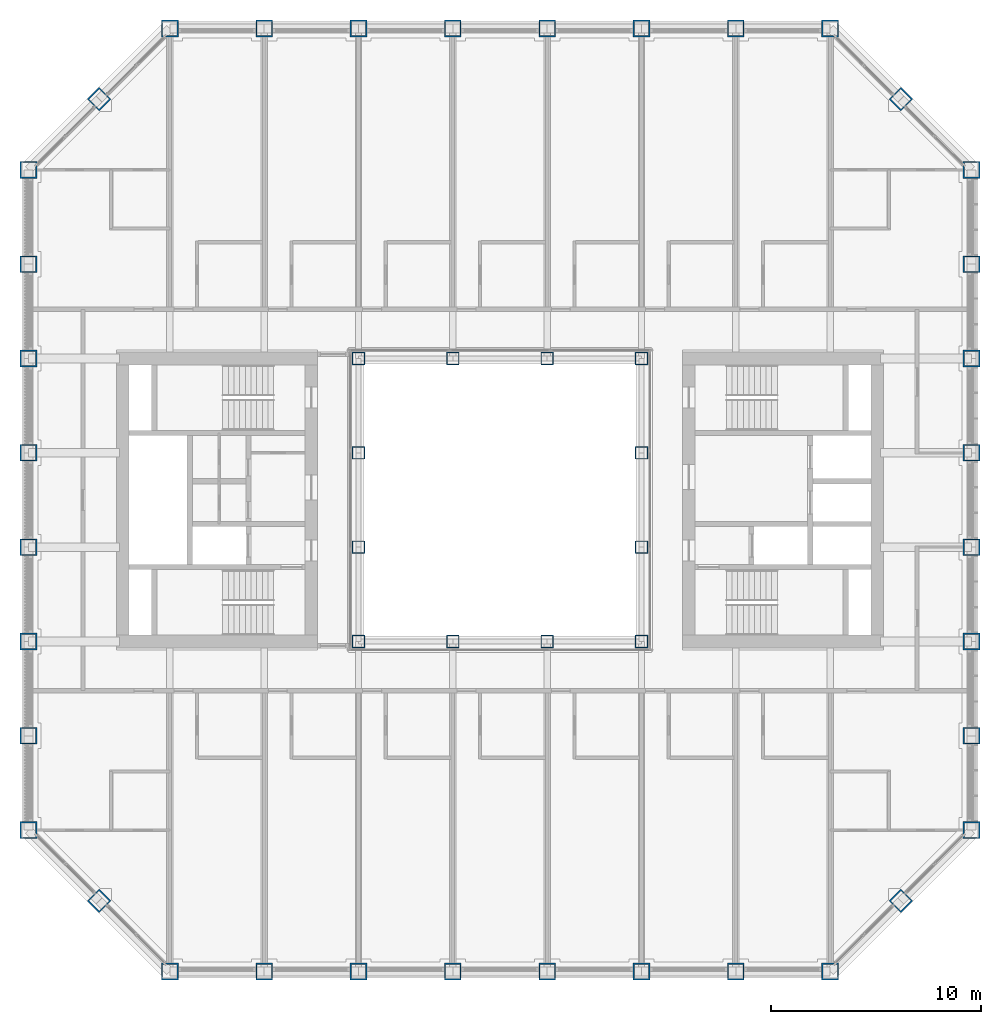
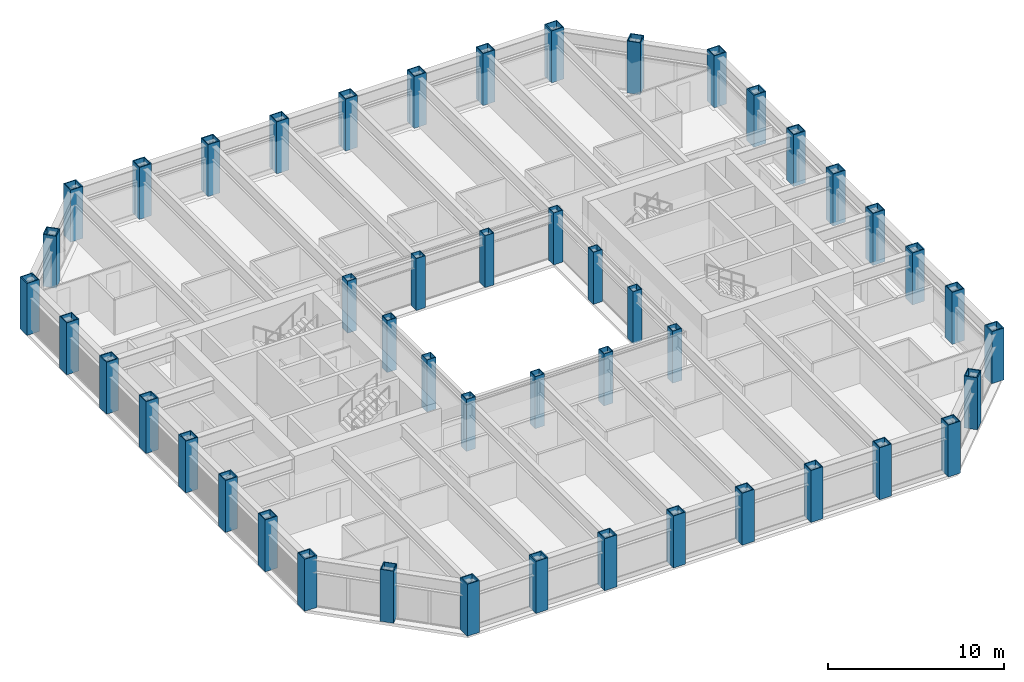
# One storey, part 1 of 18: 48 columns.
"""IFC4 building model written with IfcOpenShell, lengths in metres."""

from ifc_helpers import new_model, si_unit, direction, frame, origin, origin_2d, place, context, subcontext, project, spatial, hollow_rectangle, extrude, material, material_profile, profile_set, type_object, element, save


model = new_model("IFC4")

# Units and contexts
model_context = context("Model", 3, precision=1e-05, world=origin(), true_north=direction((0.0, 1.0)))
body_context = subcontext(model_context, "Body", "Model", "MODEL_VIEW")
ifc_project = project(units=[si_unit("LENGTHUNIT", "METRE"), si_unit("AREAUNIT", "SQUARE_METRE"), si_unit("VOLUMEUNIT", "CUBIC_METRE"), si_unit("PLANEANGLEUNIT", "RADIAN"), si_unit("MASSUNIT", "GRAM", prefix="KILO")], contexts=[model_context])

# Site, building, storey
site_placement = place(None, origin())
site = spatial("IfcSite", under=ifc_project, at=site_placement, CompositionType="ELEMENT")
building_placement = place(site_placement, origin())
building = spatial("IfcBuilding", under=site, at=building_placement, Name="Msasa Ring Tower", CompositionType="ELEMENT")
storey_placement = place(building_placement, frame((0.0, 0.0, 122.0)))
storey = spatial("IfcBuildingStorey", under=building, at=storey_placement, Name="L31", CompositionType="ELEMENT", Elevation=122.0)

# Columns
ifc_material_1 = material(Name="Steel S355", Category="steel")
ifc_material_profile_1 = material_profile(ifc_material_1, hollow_rectangle(XDim=0.60009765625, YDim=0.60009765625, WallThickness=0.0400390625, at=origin_2d()), Name="BOX 600x600x40")
ifc_profile_set_1 = profile_set([ifc_material_profile_1], Name="Steel S355")
column_type_1 = type_object("IfcColumnType", Name="IC4 BOX 600x600x40", PredefinedType="COLUMN", material=ifc_profile_set_1)
for number, where, z_axis, x_axis, name in (
    (1, (-6.75, -6.75, 0.0), (0.0, 0.0, 1.0), (1.0, 0.0, 0.0), "Inner ring column IR-6.75-6.75 L31"),
    (2, (-6.75, -2.25, 0.0), (0.0, 0.0, 1.0), (1.0, 0.0, 0.0), "Inner ring column IR-6.75-2.25 L31"),
    (3, (-6.75, 2.25, 0.0), (0.0, 0.0, 1.0), (1.0, 0.0, 0.0), "Inner ring column IR-6.75+2.25 L31"),
    (4, (-6.75, 6.75, 0.0), (0.0, 0.0, 1.0), (1.0, 0.0, 0.0), "Inner ring column IR-6.75+6.75 L31"),
    (5, (-2.25, -6.75, 0.0), (0.0, 0.0, 1.0), (1.0, 0.0, 0.0), "Inner ring column IR-2.25-6.75 L31"),
    (6, (-2.25, 6.75, 0.0), (0.0, 0.0, 1.0), (1.0, 0.0, 0.0), "Inner ring column IR-2.25+6.75 L31"),
    (7, (2.25, -6.75, 0.0), (0.0, 0.0, 1.0), (1.0, 0.0, 0.0), "Inner ring column IR+2.25-6.75 L31"),
    (8, (2.25, 6.75, 0.0), (0.0, 0.0, 1.0), (1.0, 0.0, 0.0), "Inner ring column IR+2.25+6.75 L31"),
    (9, (6.75, -6.75, 0.0), (0.0, 0.0, 1.0), (1.0, 0.0, 0.0), "Inner ring column IR+6.75-6.75 L31"),
    (10, (6.75, -2.25, 0.0), (0.0, 0.0, 1.0), (1.0, 0.0, 0.0), "Inner ring column IR+6.75-2.25 L31"),
    (11, (6.75, 2.25, 0.0), (0.0, 0.0, 1.0), (1.0, 0.0, 0.0), "Inner ring column IR+6.75+2.25 L31"),
    (12, (6.75, 6.75, 0.0), (0.0, 0.0, 1.0), (1.0, 0.0, 0.0), "Inner ring column IR+6.75+6.75 L31"),
):
    element("IfcColumn", number, at=place(storey_placement, frame(where, z_axis=z_axis, x_axis=x_axis)), inside=storey, type_object=column_type_1, Name=name, PredefinedType="COLUMN", context=body_context, shape_type="SweptSolid", body=[
        extrude(hollow_rectangle(XDim=0.60009765625, YDim=0.60009765625, WallThickness=0.0400390625, at=origin_2d()), origin(), (0.0, 0.0, 1.0), 3.60009765625),
    ])
ifc_material_2 = material(Name="Steel S355", Category="steel")
ifc_material_profile_2 = material_profile(ifc_material_2, hollow_rectangle(XDim=0.800048828125, YDim=0.800048828125, WallThickness=0.06005859375, at=origin_2d()), Name="BOX 800x800x60")
ifc_profile_set_2 = profile_set([ifc_material_profile_2], Name="Steel S355")
column_type_2 = type_object("IfcColumnType", Name="TC3 BOX 800x800x60", PredefinedType="COLUMN", material=ifc_profile_set_2)
for number, where, z_axis, x_axis, name in (
    (13, (-15.75, -22.5, 0.0), (0.0, 0.0, 1.0), (0.0, 1.0, 0.0), "Tube column S-15.75 L31"),
    (14, (-15.75, 22.5, 0.0), (0.0, 0.0, 1.0), (0.0, 1.0, 0.0), "Tube column N-15.75 L31"),
    (15, (22.5, -15.75, 0.0), (0.0, 0.0, 1.0), (1.0, 0.0, 0.0), "Tube column E-15.75 L31"),
    (16, (-22.5, -15.75, 0.0), (0.0, 0.0, 1.0), (1.0, 0.0, 0.0), "Tube column W-15.75 L31"),
    (17, (-11.25, -22.5, 0.0), (0.0, 0.0, 1.0), (0.0, 1.0, 0.0), "Tube column S-11.25 L31"),
    (18, (-11.25, 22.5, 0.0), (0.0, 0.0, 1.0), (0.0, 1.0, 0.0), "Tube column N-11.25 L31"),
    (19, (22.5, -11.25, 0.0), (0.0, 0.0, 1.0), (1.0, 0.0, 0.0), "Tube column E-11.25 L31"),
    (20, (-22.5, -11.25, 0.0), (0.0, 0.0, 1.0), (1.0, 0.0, 0.0), "Tube column W-11.25 L31"),
    (21, (-6.75, -22.5, 0.0), (0.0, 0.0, 1.0), (0.0, 1.0, 0.0), "Tube column S-6.75 L31"),
    (22, (-6.75, 22.5, 0.0), (0.0, 0.0, 1.0), (0.0, 1.0, 0.0), "Tube column N-6.75 L31"),
    (23, (22.5, -6.75, 0.0), (0.0, 0.0, 1.0), (1.0, 0.0, 0.0), "Tube column E-6.75 L31"),
    (24, (-22.5, -6.75, 0.0), (0.0, 0.0, 1.0), (1.0, 0.0, 0.0), "Tube column W-6.75 L31"),
    (25, (-2.25, -22.5, 0.0), (0.0, 0.0, 1.0), (0.0, 1.0, 0.0), "Tube column S-2.25 L31"),
    (26, (-2.25, 22.5, 0.0), (0.0, 0.0, 1.0), (0.0, 1.0, 0.0), "Tube column N-2.25 L31"),
    (27, (22.5, -2.25, 0.0), (0.0, 0.0, 1.0), (1.0, 0.0, 0.0), "Tube column E-2.25 L31"),
    (28, (-22.5, -2.25, 0.0), (0.0, 0.0, 1.0), (1.0, 0.0, 0.0), "Tube column W-2.25 L31"),
    (29, (2.25, -22.5, 0.0), (0.0, 0.0, 1.0), (0.0, 1.0, 0.0), "Tube column S+2.25 L31"),
    (30, (2.25, 22.5, 0.0), (0.0, 0.0, 1.0), (0.0, 1.0, 0.0), "Tube column N+2.25 L31"),
    (31, (22.5, 2.25, 0.0), (0.0, 0.0, 1.0), (1.0, 0.0, 0.0), "Tube column E+2.25 L31"),
    (32, (-22.5, 2.25, 0.0), (0.0, 0.0, 1.0), (1.0, 0.0, 0.0), "Tube column W+2.25 L31"),
    (33, (6.75, -22.5, 0.0), (0.0, 0.0, 1.0), (0.0, 1.0, 0.0), "Tube column S+6.75 L31"),
    (34, (6.75, 22.5, 0.0), (0.0, 0.0, 1.0), (0.0, 1.0, 0.0), "Tube column N+6.75 L31"),
    (35, (22.5, 6.75, 0.0), (0.0, 0.0, 1.0), (1.0, 0.0, 0.0), "Tube column E+6.75 L31"),
    (36, (-22.5, 6.75, 0.0), (0.0, 0.0, 1.0), (1.0, 0.0, 0.0), "Tube column W+6.75 L31"),
    (37, (11.25, -22.5, 0.0), (0.0, 0.0, 1.0), (0.0, 1.0, 0.0), "Tube column S+11.25 L31"),
    (38, (11.25, 22.5, 0.0), (0.0, 0.0, 1.0), (0.0, 1.0, 0.0), "Tube column N+11.25 L31"),
    (39, (22.5, 11.25, 0.0), (0.0, 0.0, 1.0), (1.0, 0.0, 0.0), "Tube column E+11.25 L31"),
    (40, (-22.5, 11.25, 0.0), (0.0, 0.0, 1.0), (1.0, 0.0, 0.0), "Tube column W+11.25 L31"),
    (41, (15.75, -22.5, 0.0), (0.0, 0.0, 1.0), (0.0, 1.0, 0.0), "Tube column S+15.75 L31"),
    (42, (15.75, 22.5, 0.0), (0.0, 0.0, 1.0), (0.0, 1.0, 0.0), "Tube column N+15.75 L31"),
    (43, (22.5, 15.75, 0.0), (0.0, 0.0, 1.0), (1.0, 0.0, 0.0), "Tube column E+15.75 L31"),
    (44, (-22.5, 15.75, 0.0), (0.0, 0.0, 1.0), (1.0, 0.0, 0.0), "Tube column W+15.75 L31"),
    (45, (19.125, -19.125, 0.0), (0.0, 0.0, 1.0), (0.707106781187, -0.707106781187, 0.0), "Tube column SE L31"),
    (46, (19.125, 19.125, 0.0), (0.0, 0.0, 1.0), (0.707106781187, 0.707106781187, 0.0), "Tube column NE L31"),
    (47, (-19.125, 19.125, 0.0), (0.0, 0.0, 1.0), (0.707106781187, -0.707106781187, 0.0), "Tube column NW L31"),
    (48, (-19.125, -19.125, 0.0), (0.0, 0.0, 1.0), (0.707106781187, 0.707106781187, 0.0), "Tube column SW L31"),
):
    element("IfcColumn", number, at=place(storey_placement, frame(where, z_axis=z_axis, x_axis=x_axis)), inside=storey, type_object=column_type_2, Name=name, PredefinedType="COLUMN", context=body_context, shape_type="SweptSolid", body=[
        extrude(hollow_rectangle(XDim=0.800048828125, YDim=0.800048828125, WallThickness=0.06005859375, at=origin_2d()), origin(), (0.0, 0.0, 1.0), 3.60009765625),
    ])

save(model, "model.ifc")
